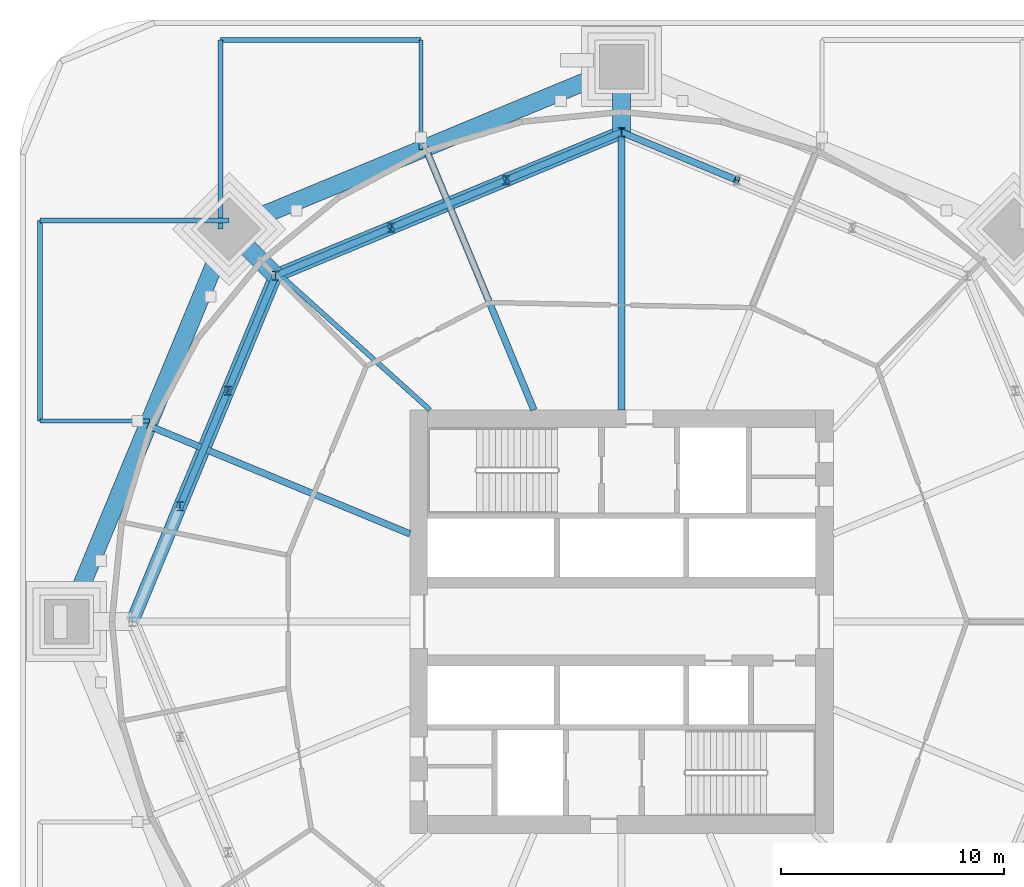
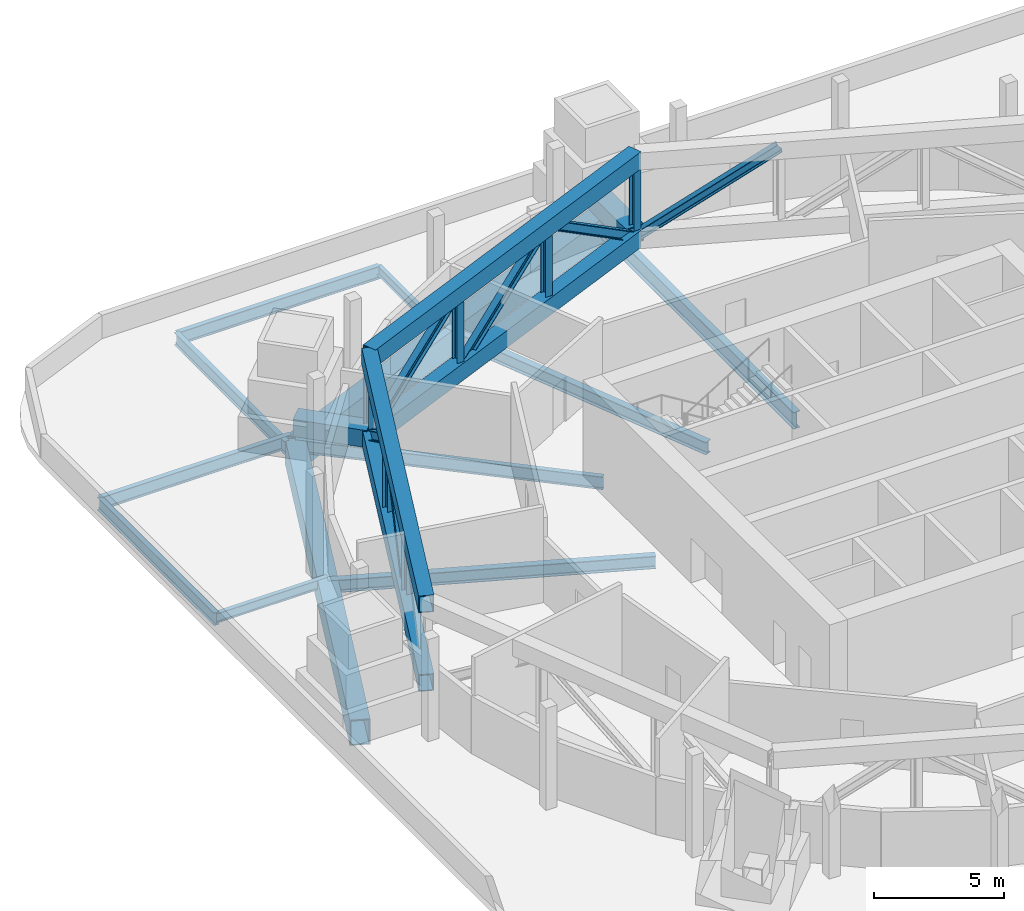
# One storey, part 4 of 21: 16 members, 14 beams.
"""IFC4 building model written with IfcOpenShell, lengths in metres."""

from ifc_helpers import new_model, si_unit, direction, frame, origin, origin_2d, place, context, subcontext, project, spatial, hollow_rectangle, i_section, extrude, material, material_profile, profile_set, type_object, element, save


model = new_model("IFC4")

# Units and contexts
model_context = context("Model", 3, precision=1e-05, world=origin(), true_north=direction((0.0, 1.0)))
body_context = subcontext(model_context, "Body", "Model", "MODEL_VIEW")
ifc_project = project(units=[si_unit("LENGTHUNIT", "METRE"), si_unit("AREAUNIT", "SQUARE_METRE"), si_unit("VOLUMEUNIT", "CUBIC_METRE"), si_unit("PLANEANGLEUNIT", "RADIAN"), si_unit("MASSUNIT", "GRAM", prefix="KILO")], contexts=[model_context])

# Site, building, storey
site_placement = place(None, origin())
site = spatial("IfcSite", under=ifc_project, at=site_placement, CompositionType="ELEMENT")
building_placement = place(site_placement, origin())
building = spatial("IfcBuilding", under=site, at=building_placement, Name="Ogive Gate Towers", CompositionType="ELEMENT")
storey_placement = place(building_placement, frame((0.0, 0.0, 27.60009765625)))
storey = spatial("IfcBuildingStorey", under=building, at=storey_placement, Name="L05", CompositionType="ELEMENT", Elevation=27.60009765625)

# Beams
ifc_material_1 = material(Name="Steel SM460", Category="steel")
ifc_material_profile_1 = material_profile(ifc_material_1, hollow_rectangle(XDim=0.800048828125, YDim=1.199951171875, WallThickness=0.050048828125, at=origin_2d()), Name="BX 1200x800x50")
ifc_profile_set_1 = profile_set([ifc_material_profile_1], Name="Steel SM460")
beam_type_1 = type_object("IfcBeamType", Name="Edge girder BX 1200x800x50", PredefinedType="BEAM", material=ifc_profile_set_1)
for number, where, z_axis, x_axis, name in (
    (1, (-36.0, 24.909912109375, -0.900146484375), (-0.923880736283, -0.382680526191, 0.0), (0.382680526191, -0.923880736283, 0.0), "T1/L05/SBM022"),
    (2, (-53.614013671875, 17.614013671875, -0.900146484375), (-0.382680526191, -0.923880736283, 0.0), (0.923880736283, -0.382680526191, 0.0), "T1/L05/SBM023"),
):
    element("IfcBeam", number, at=place(storey_placement, frame(where, z_axis=z_axis, x_axis=x_axis)), inside=storey, type_object=beam_type_1, Name=name, PredefinedType="BEAM", context=body_context, shape_type="SweptSolid", body=[
        extrude(hollow_rectangle(XDim=0.800048828125, YDim=1.199951171875, WallThickness=0.050048828125, at=origin_2d()), origin(), (0.0, 0.0, 1.0), 19.065185546875),
    ])
ifc_material_2 = material(Name="Steel SM355", Category="steel")
ifc_material_profile_2 = material_profile(ifc_material_2, i_section(OverallWidth=0.18994140625, OverallDepth=0.449951171875, WebThickness=0.009521484375, FlangeThickness=0.0146484375, FilletRadius=0.02099609375, at=origin_2d()), Name="IPE 450")
ifc_profile_set_2 = profile_set([ifc_material_profile_2], Name="Steel SM355")
beam_type_2 = type_object("IfcBeamType", Name="Floor beam IPE 450", PredefinedType="BEAM", material=ifc_profile_set_2)
for number, where, z_axis, x_axis, name in (
    (3, (-62.10009765625, 9.0, -0.525146484375), (1.0, 0.0, 0.0), (0.0, 1.0, 0.0), "PD/L05/SBM052"),
    (4, (-45.0, 26.10009765625, -0.525146484375), (0.0, -1.0, 0.0), (1.0, 0.0, 0.0), "PD/L05/SBM054"),
):
    element("IfcBeam", number, at=place(storey_placement, frame(where, z_axis=z_axis, x_axis=x_axis)), inside=storey, type_object=beam_type_2, Name=name, PredefinedType="BEAM", context=body_context, shape_type="SweptSolid", body=[
        extrude(i_section(OverallWidth=0.18994140625, OverallDepth=0.449951171875, WebThickness=0.009521484375, FlangeThickness=0.0146484375, FilletRadius=0.02099609375, at=origin_2d()), origin(), (0.0, 0.0, 1.0), 4.91796875),
    ])
ifc_material_profile_3 = material_profile(ifc_material_2, i_section(OverallWidth=0.219970703125, OverallDepth=0.60009765625, WebThickness=0.011962890625, FlangeThickness=0.01904296875, FilletRadius=0.02392578125, at=origin_2d()), Name="IPE 600")
ifc_profile_set_3 = profile_set([ifc_material_profile_3], Name="Steel SM355")
beam_type_3 = type_object("IfcBeamType", Name="Floor beam IPE 600", PredefinedType="BEAM", material=ifc_profile_set_3)
for number, where, z_axis, x_axis, name in (
    (5, (-54.0, 17.614013671875, -0.60009765625), (0.0, 1.0, 0.0), (-1.0, 0.0, 0.0), "PD/L05/SBM002"),
    (6, (-62.10009765625, 18.0, -0.60009765625), (1.0, 0.0, 0.0), (0.0, 1.0, 0.0), "PD/L05/SBM025"),
):
    element("IfcBeam", number, at=place(storey_placement, frame(where, z_axis=z_axis, x_axis=x_axis)), inside=storey, type_object=beam_type_3, Name=name, PredefinedType="BEAM", context=body_context, shape_type="SweptSolid", body=[
        extrude(i_section(OverallWidth=0.219970703125, OverallDepth=0.60009765625, WebThickness=0.011962890625, FlangeThickness=0.01904296875, FilletRadius=0.02392578125, at=origin_2d()), origin(), (0.0, 0.0, 1.0), 8.486083984375),
    ])
for number, where, z_axis, x_axis, name in (
    (7, (-62.10009765625, 9.0, -0.60009765625), (0.0, 1.0, 0.0), (-1.0, 0.0, 0.0), "PD/L05/SBM040"),
    (8, (-54.0, 26.10009765625, -0.60009765625), (1.0, 0.0, 0.0), (0.0, 1.0, 0.0), "PD/L05/SBM041"),
):
    element("IfcBeam", number, at=place(storey_placement, frame(where, z_axis=z_axis, x_axis=x_axis)), inside=storey, type_object=beam_type_3, Name=name, PredefinedType="BEAM", context=body_context, shape_type="SweptSolid", body=[
        extrude(i_section(OverallWidth=0.219970703125, OverallDepth=0.60009765625, WebThickness=0.011962890625, FlangeThickness=0.01904296875, FilletRadius=0.02392578125, at=origin_2d()), origin(), (0.0, 0.0, 1.0), 9.0),
    ])
ifc_material_profile_4 = material_profile(ifc_material_1, hollow_rectangle(XDim=0.800048828125, YDim=0.800048828125, WallThickness=0.050048828125, at=origin_2d()), Name="BX 800x800x50")
ifc_profile_set_4 = profile_set([ifc_material_profile_4], Name="Steel SM460")
beam_type_4 = type_object("IfcBeamType", Name="Node arm BX 800x800x50", PredefinedType="BEAM", material=ifc_profile_set_4)
for number, where, z_axis, x_axis, name in (
    (9, (-36.0, 21.9599609375, 0.449951171875), (0.0, 1.0, 0.0), (-1.0, 0.0, 0.0), "T1/L05/SBM027"),
    (10, (-51.528076171875, 15.528076171875, 0.449951171875), (-0.707106781187, 0.707106781187, 0.0), (-0.707106781187, -0.707106781187, 0.0), "T1/L05/SBM028"),
):
    element("IfcBeam", number, at=place(storey_placement, frame(where, z_axis=z_axis, x_axis=x_axis)), inside=storey, type_object=beam_type_4, Name=name, PredefinedType="BEAM", context=body_context, shape_type="SweptSolid", body=[
        extrude(hollow_rectangle(XDim=0.800048828125, YDim=0.800048828125, WallThickness=0.050048828125, at=origin_2d()), origin(), (0.0, 0.0, 1.0), 2.949951171875),
    ])
ifc_material_profile_5 = material_profile(ifc_material_2, i_section(OverallWidth=0.300048828125, OverallDepth=0.590087890625, WebThickness=0.012939453125, FlangeThickness=0.02490234375, FilletRadius=0.027099609375, at=origin_2d()), Name="HE 600 A")
ifc_profile_set_5 = profile_set([ifc_material_profile_5], Name="Steel SM355")
beam_type_5 = type_object("IfcBeamType", Name="Radial floor beam HE 600 A", PredefinedType="BEAM", material=ifc_profile_set_5)
for number, where, z_axis, x_axis, name in (
    (11, (-39.93505859375, 9.5, -0.59521484375), (-0.382690523214, 0.923876595354, 0.0), (-0.923876595354, -0.382690523214, 0.0), "T1/L05/SBM012"),
    (12, (-45.5, 3.93505859375, -0.59521484375), (-0.923876595354, 0.382690523214, 0.0), (-0.382690523214, -0.923876595354, 0.0), "T1/L05/SBM014"),
):
    element("IfcBeam", number, at=place(storey_placement, frame(where, z_axis=z_axis, x_axis=x_axis)), inside=storey, type_object=beam_type_5, Name=name, PredefinedType="BEAM", context=body_context, shape_type="SweptSolid", body=[
        extrude(i_section(OverallWidth=0.300048828125, OverallDepth=0.590087890625, WebThickness=0.012939453125, FlangeThickness=0.02490234375, FilletRadius=0.027099609375, at=origin_2d()), origin(), (0.0, 0.0, 1.0), 12.731201171875),
    ])
ifc_material_profile_6 = material_profile(ifc_material_2, i_section(OverallWidth=0.300048828125, OverallDepth=0.7900390625, WebThickness=0.014892578125, FlangeThickness=0.028076171875, FilletRadius=0.030029296875, at=origin_2d()), Name="HE 800 A")
ifc_profile_set_6 = profile_set([ifc_material_profile_6], Name="Steel SM355")
beam_type_6 = type_object("IfcBeamType", Name="Radial floor beam HE 800 A", PredefinedType="BEAM", material=ifc_profile_set_6)
beam_1_placement = place(storey_placement, frame((-36.0, 9.5, -0.695068359375), z_axis=(0.0, 1.0, 0.0), x_axis=(-1.0, 0.0, 0.0)))
element("IfcBeam", 13, at=beam_1_placement, inside=storey, type_object=beam_type_6, Name="T1/L05/SBM011", PredefinedType="BEAM", context=body_context, shape_type="SweptSolid", body=[
    extrude(i_section(OverallWidth=0.300048828125, OverallDepth=0.7900390625, WebThickness=0.014892578125, FlangeThickness=0.028076171875, FilletRadius=0.030029296875, at=origin_2d()), origin(), (0.0, 0.0, 1.0), 15.409912109375),
])
ifc_material_profile_7 = material_profile(ifc_material_2, i_section(OverallWidth=0.219970703125, OverallDepth=0.60009765625, WebThickness=0.011962890625, FlangeThickness=0.01904296875, FilletRadius=0.02392578125, at=origin_2d()), Name="IPE 600")
ifc_profile_set_7 = profile_set([ifc_material_profile_7], Name="Steel SM355")
beam_type_7 = type_object("IfcBeamType", Name="Radial floor beam IPE 600", PredefinedType="BEAM", material=ifc_profile_set_7)
beam_2_placement = place(storey_placement, frame((-44.60009765625, 9.5, -0.60009765625), z_axis=(-0.743233084761, 0.669032571491, 0.0), x_axis=(-0.669032571491, -0.743233084761, 0.0)))
element("IfcBeam", 14, at=beam_2_placement, inside=storey, type_object=beam_type_7, Name="T1/L05/SBM013", PredefinedType="BEAM", context=body_context, shape_type="SweptSolid", body=[
    extrude(i_section(OverallWidth=0.219970703125, OverallDepth=0.60009765625, WebThickness=0.011962890625, FlangeThickness=0.01904296875, FilletRadius=0.02392578125, at=origin_2d()), origin(), (0.0, 0.0, 1.0), 12.1279296875),
])

# Members
ifc_material_profile_8 = material_profile(ifc_material_1, hollow_rectangle(XDim=0.60009765625, YDim=0.800048828125, WallThickness=0.0400390625, at=origin_2d()), Name="BX 800x600x40")
ifc_profile_set_8 = profile_set([ifc_material_profile_8], Name="Steel SM460")
member_type_1 = type_object("IfcMemberType", Name="Truss chord BX 800x600x40", PredefinedType="CHORD", material=ifc_profile_set_8)
for number, where, z_axis, x_axis, name in (
    (15, (-36.0, 21.9599609375, 0.39990234375), (-0.923880689089, -0.382680640128, 0.0), (0.382680640128, -0.923880689089, 0.0), "T1/L05/STR018"),
    (16, (-36.0, 21.9599609375, 4.099853515625), (-0.923880689089, -0.382680640128, 0.0), (0.382680640128, -0.923880689089, 0.0), "T1/L05/STR019"),
    (17, (-51.528076171875, 15.528076171875, 0.39990234375), (-0.382680640128, -0.923880689089, 0.0), (0.923880689089, -0.382680640128, 0.0), "T1/L05/STR026"),
    (18, (-51.528076171875, 15.528076171875, 4.099853515625), (-0.382680640128, -0.923880689089, 0.0), (0.923880689089, -0.382680640128, 0.0), "T1/L05/STR027"),
):
    element("IfcMember", number, at=place(storey_placement, frame(where, z_axis=z_axis, x_axis=x_axis)), inside=storey, type_object=member_type_1, Name=name, PredefinedType="CHORD", context=body_context, shape_type="SweptSolid", body=[
        extrude(hollow_rectangle(XDim=0.60009765625, YDim=0.800048828125, WallThickness=0.0400390625, at=origin_2d()), origin(), (0.0, 0.0, 1.0), 16.807373046875),
    ])
ifc_material_profile_9 = material_profile(ifc_material_1, i_section(OverallWidth=0.300048828125, OverallDepth=0.39990234375, WebThickness=0.013427734375, FlangeThickness=0.02392578125, FilletRadius=0.027099609375, at=origin_2d()), Name="HE 400 B")
ifc_profile_set_9 = profile_set([ifc_material_profile_9], Name="Steel SM460")
member_type_2 = type_object("IfcMemberType", Name="Truss diagonal HE 400 B", PredefinedType="BRACE", material=ifc_profile_set_9)
for number, where, z_axis, x_axis, name in (
    (19, (-30.823974609375, 19.81591796875, 4.099853515625), (-0.770930189005, 0.319339131165, -0.551079996904), (-0.382693038551, -0.92387555344, 0.0), "T1/L05/STR014"),
    (20, (-36.0, 21.9599609375, 0.39990234375), (-0.770930189005, -0.319339131165, 0.551079996904), (0.382693038551, -0.92387555344, 0.0), "T1/L05/STR020"),
):
    element("IfcMember", number, at=place(storey_placement, frame(where, z_axis=z_axis, x_axis=x_axis)), inside=storey, type_object=member_type_2, Name=name, PredefinedType="BRACE", context=body_context, shape_type="SweptSolid", body=[
        extrude(i_section(OverallWidth=0.300048828125, OverallDepth=0.39990234375, WebThickness=0.013427734375, FlangeThickness=0.02392578125, FilletRadius=0.027099609375, at=origin_2d()), origin(), (0.0, 0.0, 1.0), 6.714111328125),
    ])
member_1_placement = place(storey_placement, frame((-41.176025390625, 19.81591796875, 4.099853515625), z_axis=(-0.770939140771, -0.319306475879, -0.551086395848), x_axis=(0.382655842662, -0.923890960058, 0.0)))
element("IfcMember", 21, at=member_1_placement, inside=storey, type_object=member_type_2, Name="T1/L05/STR021", PredefinedType="BRACE", context=body_context, shape_type="SweptSolid", body=[
    extrude(i_section(OverallWidth=0.300048828125, OverallDepth=0.39990234375, WebThickness=0.013427734375, FlangeThickness=0.02392578125, FilletRadius=0.027099609375, at=origin_2d()), origin(), (0.0, 0.0, 1.0), 6.7138671875),
])
for number, where, z_axis, x_axis, name in (
    (22, (-46.35205078125, 17.672119140625, 4.099853515625), (-0.770930189005, -0.319339131165, -0.551079996904), (0.382693038551, -0.92387555344, 0.0), "T1/L05/STR022"),
    (23, (-51.528076171875, 15.528076171875, 0.39990234375), (-0.319339131165, -0.770930189005, 0.551079996904), (0.92387555344, -0.382693038551, 0.0), "T1/L05/STR028"),
):
    element("IfcMember", number, at=place(storey_placement, frame(where, z_axis=z_axis, x_axis=x_axis)), inside=storey, type_object=member_type_2, Name=name, PredefinedType="BRACE", context=body_context, shape_type="SweptSolid", body=[
        extrude(i_section(OverallWidth=0.300048828125, OverallDepth=0.39990234375, WebThickness=0.013427734375, FlangeThickness=0.02392578125, FilletRadius=0.027099609375, at=origin_2d()), origin(), (0.0, 0.0, 1.0), 6.714111328125),
    ])
member_2_placement = place(storey_placement, frame((-53.672119140625, 10.35205078125, 4.099853515625), z_axis=(-0.319306475879, -0.770939140771, -0.551086395848), x_axis=(0.923890960058, -0.382655842662, 0.0)))
element("IfcMember", 24, at=member_2_placement, inside=storey, type_object=member_type_2, Name="T1/L05/STR029", PredefinedType="BRACE", context=body_context, shape_type="SweptSolid", body=[
    extrude(i_section(OverallWidth=0.300048828125, OverallDepth=0.39990234375, WebThickness=0.013427734375, FlangeThickness=0.02392578125, FilletRadius=0.027099609375, at=origin_2d()), origin(), (0.0, 0.0, 1.0), 6.7138671875),
])
ifc_material_profile_10 = material_profile(ifc_material_1, i_section(OverallWidth=0.300048828125, OverallDepth=0.39990234375, WebThickness=0.013427734375, FlangeThickness=0.02392578125, FilletRadius=0.027099609375, at=origin_2d()), Name="HE 400 B")
ifc_profile_set_10 = profile_set([ifc_material_profile_10], Name="Steel SM460")
member_type_3 = type_object("IfcMemberType", Name="Truss post HE 400 B", PredefinedType="POST", material=ifc_profile_set_10)
for number, where, z_axis, x_axis, name in (
    (25, (-36.0, 21.9599609375, 0.39990234375), (0.0, 0.0, 1.0), (1.0, 0.0, 0.0), "T1/L05/STR017"),
    (26, (-41.176025390625, 19.81591796875, 0.39990234375), (0.0, 0.0, 1.0), (1.0, 0.0, 0.0), "T1/L05/STR023"),
    (27, (-46.35205078125, 17.672119140625, 0.39990234375), (0.0, 0.0, 1.0), (1.0, 0.0, 0.0), "T1/L05/STR024"),
    (28, (-51.528076171875, 15.528076171875, 0.39990234375), (0.0, 0.0, 1.0), (1.0, 0.0, 0.0), "T1/L05/STR025"),
    (29, (-53.672119140625, 10.35205078125, 0.39990234375), (0.0, 0.0, 1.0), (1.0, 0.0, 0.0), "T1/L05/STR031"),
    (30, (-55.81591796875, 5.176025390625, 0.39990234375), (0.0, 0.0, 1.0), (1.0, 0.0, 0.0), "T1/L05/STR032"),
):
    element("IfcMember", number, at=place(storey_placement, frame(where, z_axis=z_axis, x_axis=x_axis)), inside=storey, type_object=member_type_3, Name=name, PredefinedType="POST", context=body_context, shape_type="SweptSolid", body=[
        extrude(i_section(OverallWidth=0.300048828125, OverallDepth=0.39990234375, WebThickness=0.013427734375, FlangeThickness=0.02392578125, FilletRadius=0.027099609375, at=origin_2d()), origin(), (0.0, 0.0, 1.0), 3.699951171875),
    ])

save(model, "model.ifc")
